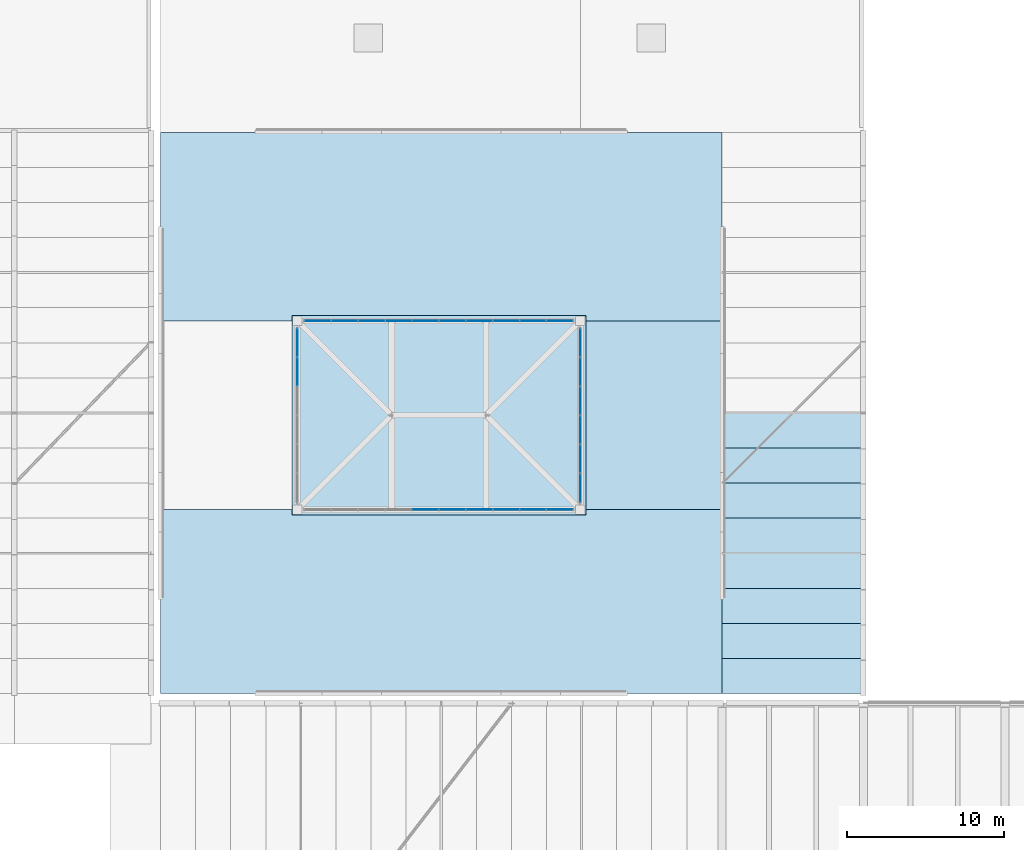
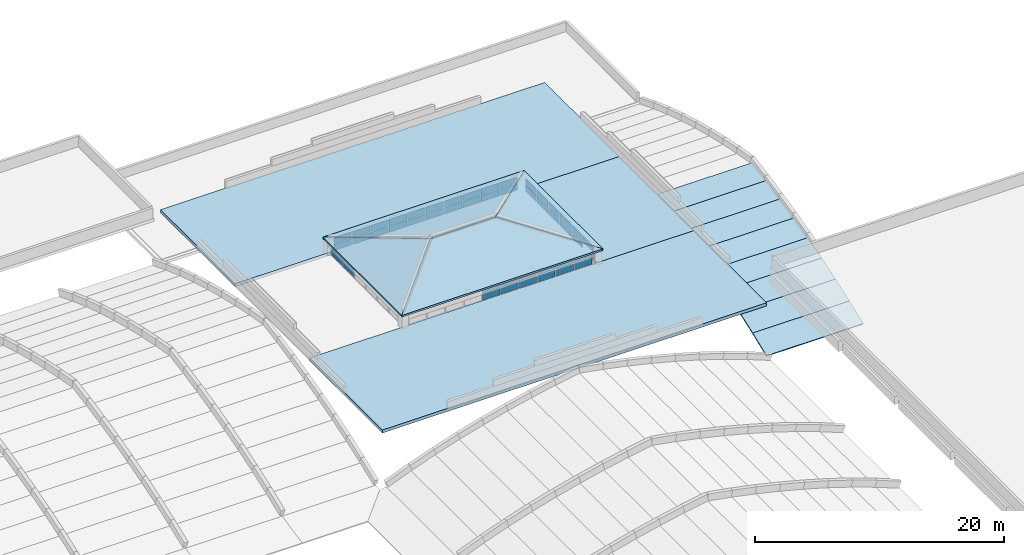
# One storey, part 46 of 56: 48 plates, 15 slabs, 7 elements without a shape of their own.
"""IFC4 building model written with IfcOpenShell, lengths in metres."""

from ifc_helpers import new_model, si_unit, direction, frame, origin, origin_2d, place, context, subcontext, project, spatial, polyline, rectangle, outline, extrude, material, layer, layer_set, type_object, element, aggregate, save


model = new_model("IFC4")

# Units and contexts
model_context = context("Model", 3, precision=1e-05, world=origin(), true_north=direction((0.0, 1.0)))
body_context = subcontext(model_context, "Body", "Model", "MODEL_VIEW")
ifc_project = project(units=[si_unit("LENGTHUNIT", "METRE"), si_unit("AREAUNIT", "SQUARE_METRE"), si_unit("VOLUMEUNIT", "CUBIC_METRE"), si_unit("PLANEANGLEUNIT", "RADIAN"), si_unit("MASSUNIT", "GRAM", prefix="KILO")], contexts=[model_context])

# Site, building, storey
site_placement = place(None, origin())
site = spatial("IfcSite", under=ifc_project, at=site_placement, CompositionType="ELEMENT")
building_placement = place(site_placement, origin())
building = spatial("IfcBuilding", under=site, at=building_placement, Name="Zacnel Wholesale Market", CompositionType="ELEMENT")
storey_placement = place(building_placement, frame((0.0, 0.0, 20.300048828125)))
storey = spatial("IfcBuildingStorey", under=building, at=storey_placement, Name="RF", CompositionType="ELEMENT", Elevation=20.300048828125)

# Curtain wall, plates
ifc_material_1 = material(Name="Anodised aluminium", Category="aluminium")
ifc_layer_1 = layer(ifc_material_1, 0.14990234375)
ifc_layer_set_1 = layer_set([ifc_layer_1], Name="Anodised aluminium")
curtain_wall_type = type_object("IfcCurtainWallType", Name="CW-CLER-3600", PredefinedType="NOTDEFINED", material=ifc_layer_set_1)
curtain_wall_1_placement = place(storey_placement, origin())
curtain_wall_1 = element("IfcCurtainWall", 1, at=curtain_wall_1_placement, inside=storey, type_object=curtain_wall_type, Name="Curtain wall ENV-CW-XLAN-S", PredefinedType="NOTDEFINED")
ifc_material_2 = material(Name="Laminated hurricane-impact low-E insulated glass", Category="glass")
ifc_layer_2 = layer(ifc_material_2, 0.02392578125)
ifc_layer_set_2 = layer_set([ifc_layer_2], Name="Laminated hurricane-impact low-E insulated glass")
plate_type = type_object("IfcPlateType", Name="CWP-PNL-03", PredefinedType="CURTAIN_PANEL", material=ifc_layer_set_2)
plate_1_placement = place(storey_placement, frame((161.14501953125, 108.0, -3.8701171875), z_axis=(0.0, 0.0, 1.0), x_axis=(1.0, 0.0, 0.0)))
plate_1 = element("IfcPlate", 2, at=plate_1_placement, type_object=plate_type, Name="ENV-CW-XLAN-S panel 5-1", PredefinedType="CURTAIN_PANEL", context=body_context, shape_type="SweptSolid", body=[
    extrude(rectangle(XDim=1.639892578125, YDim=0.02392578125, at=origin_2d()), origin(), (0.0, 0.0, 1.0), 0.614990234375),
])
plate_2_placement = place(storey_placement, frame((161.14501953125, 108.0, -3.19482421875), z_axis=(0.0, 0.0, 1.0), x_axis=(1.0, 0.0, 0.0)))
plate_2 = element("IfcPlate", 3, at=plate_2_placement, type_object=plate_type, Name="ENV-CW-XLAN-S panel 5-2", PredefinedType="CURTAIN_PANEL", context=body_context, shape_type="SweptSolid", body=[
    extrude(rectangle(XDim=1.639892578125, YDim=0.02392578125, at=origin_2d()), origin(), (0.0, 0.0, 1.0), 0.614990234375),
])
plate_3_placement = place(storey_placement, frame((162.85498046875, 108.0, -3.8701171875), z_axis=(0.0, 0.0, 1.0), x_axis=(1.0, 0.0, 0.0)))
plate_3 = element("IfcPlate", 4, at=plate_3_placement, type_object=plate_type, Name="ENV-CW-XLAN-S panel 6-1", PredefinedType="CURTAIN_PANEL", context=body_context, shape_type="SweptSolid", body=[
    extrude(rectangle(XDim=1.639892578125, YDim=0.02392578125, at=origin_2d()), origin(), (0.0, 0.0, 1.0), 0.614990234375),
])
plate_4_placement = place(storey_placement, frame((162.85498046875, 108.0, -3.19482421875), z_axis=(0.0, 0.0, 1.0), x_axis=(1.0, 0.0, 0.0)))
plate_4 = element("IfcPlate", 5, at=plate_4_placement, type_object=plate_type, Name="ENV-CW-XLAN-S panel 6-2", PredefinedType="CURTAIN_PANEL", context=body_context, shape_type="SweptSolid", body=[
    extrude(rectangle(XDim=1.639892578125, YDim=0.02392578125, at=origin_2d()), origin(), (0.0, 0.0, 1.0), 0.614990234375),
])
plate_5_placement = place(storey_placement, frame((164.56494140625, 108.0, -3.8701171875), z_axis=(0.0, 0.0, 1.0), x_axis=(1.0, 0.0, 0.0)))
plate_5 = element("IfcPlate", 6, at=plate_5_placement, type_object=plate_type, Name="ENV-CW-XLAN-S panel 7-1", PredefinedType="CURTAIN_PANEL", context=body_context, shape_type="SweptSolid", body=[
    extrude(rectangle(XDim=1.639892578125, YDim=0.02392578125, at=origin_2d()), origin(), (0.0, 0.0, 1.0), 0.614990234375),
])
plate_6_placement = place(storey_placement, frame((164.56494140625, 108.0, -3.19482421875), z_axis=(0.0, 0.0, 1.0), x_axis=(1.0, 0.0, 0.0)))
plate_6 = element("IfcPlate", 7, at=plate_6_placement, type_object=plate_type, Name="ENV-CW-XLAN-S panel 7-2", PredefinedType="CURTAIN_PANEL", context=body_context, shape_type="SweptSolid", body=[
    extrude(rectangle(XDim=1.639892578125, YDim=0.02392578125, at=origin_2d()), origin(), (0.0, 0.0, 1.0), 0.614990234375),
])
plate_7_placement = place(storey_placement, frame((166.27490234375, 108.0, -3.8701171875), z_axis=(0.0, 0.0, 1.0), x_axis=(1.0, 0.0, 0.0)))
plate_7 = element("IfcPlate", 8, at=plate_7_placement, type_object=plate_type, Name="ENV-CW-XLAN-S panel 8-1", PredefinedType="CURTAIN_PANEL", context=body_context, shape_type="SweptSolid", body=[
    extrude(rectangle(XDim=1.639892578125, YDim=0.02392578125, at=origin_2d()), origin(), (0.0, 0.0, 1.0), 0.614990234375),
])
plate_8_placement = place(storey_placement, frame((166.27490234375, 108.0, -3.19482421875), z_axis=(0.0, 0.0, 1.0), x_axis=(1.0, 0.0, 0.0)))
plate_8 = element("IfcPlate", 9, at=plate_8_placement, type_object=plate_type, Name="ENV-CW-XLAN-S panel 8-2", PredefinedType="CURTAIN_PANEL", context=body_context, shape_type="SweptSolid", body=[
    extrude(rectangle(XDim=1.639892578125, YDim=0.02392578125, at=origin_2d()), origin(), (0.0, 0.0, 1.0), 0.614990234375),
])
plate_9_placement = place(storey_placement, frame((167.985107421875, 108.0, -3.8701171875), z_axis=(0.0, 0.0, 1.0), x_axis=(1.0, 0.0, 0.0)))
plate_9 = element("IfcPlate", 10, at=plate_9_placement, type_object=plate_type, Name="ENV-CW-XLAN-S panel 9-1", PredefinedType="CURTAIN_PANEL", context=body_context, shape_type="SweptSolid", body=[
    extrude(rectangle(XDim=1.639892578125, YDim=0.02392578125, at=origin_2d()), origin(), (0.0, 0.0, 1.0), 0.614990234375),
])
plate_10_placement = place(storey_placement, frame((167.985107421875, 108.0, -3.19482421875), z_axis=(0.0, 0.0, 1.0), x_axis=(1.0, 0.0, 0.0)))
plate_10 = element("IfcPlate", 11, at=plate_10_placement, type_object=plate_type, Name="ENV-CW-XLAN-S panel 9-2", PredefinedType="CURTAIN_PANEL", context=body_context, shape_type="SweptSolid", body=[
    extrude(rectangle(XDim=1.639892578125, YDim=0.02392578125, at=origin_2d()), origin(), (0.0, 0.0, 1.0), 0.614990234375),
])
plate_11_placement = place(storey_placement, frame((169.695068359375, 108.0, -3.8701171875), z_axis=(0.0, 0.0, 1.0), x_axis=(1.0, 0.0, 0.0)))
plate_11 = element("IfcPlate", 12, at=plate_11_placement, type_object=plate_type, Name="ENV-CW-XLAN-S panel 10-1", PredefinedType="CURTAIN_PANEL", context=body_context, shape_type="SweptSolid", body=[
    extrude(rectangle(XDim=1.639892578125, YDim=0.02392578125, at=origin_2d()), origin(), (0.0, 0.0, 1.0), 0.614990234375),
])
plate_12_placement = place(storey_placement, frame((169.695068359375, 108.0, -3.19482421875), z_axis=(0.0, 0.0, 1.0), x_axis=(1.0, 0.0, 0.0)))
plate_12 = element("IfcPlate", 13, at=plate_12_placement, type_object=plate_type, Name="ENV-CW-XLAN-S panel 10-2", PredefinedType="CURTAIN_PANEL", context=body_context, shape_type="SweptSolid", body=[
    extrude(rectangle(XDim=1.639892578125, YDim=0.02392578125, at=origin_2d()), origin(), (0.0, 0.0, 1.0), 0.614990234375),
])
aggregate(curtain_wall_1, [plate_1, plate_2, plate_3, plate_4, plate_5, plate_6, plate_7, plate_8, plate_9, plate_10, plate_11, plate_12])

curtain_wall_2_placement = place(storey_placement, origin())
curtain_wall_2 = element("IfcCurtainWall", 14, at=curtain_wall_2_placement, inside=storey, type_object=curtain_wall_type, Name="Curtain wall ENV-CW-XLAN-N", PredefinedType="NOTDEFINED")
plate_13_placement = place(storey_placement, frame((154.304931640625, 120.0, -3.8701171875), z_axis=(0.0, 0.0, 1.0), x_axis=(1.0, 0.0, 0.0)))
plate_13 = element("IfcPlate", 15, at=plate_13_placement, type_object=plate_type, Name="ENV-CW-XLAN-N panel 1-1", PredefinedType="CURTAIN_PANEL", context=body_context, shape_type="SweptSolid", body=[
    extrude(rectangle(XDim=1.639892578125, YDim=0.02392578125, at=origin_2d()), origin(), (0.0, 0.0, 1.0), 0.614990234375),
])
plate_14_placement = place(storey_placement, frame((154.304931640625, 120.0, -3.19482421875), z_axis=(0.0, 0.0, 1.0), x_axis=(1.0, 0.0, 0.0)))
plate_14 = element("IfcPlate", 16, at=plate_14_placement, type_object=plate_type, Name="ENV-CW-XLAN-N panel 1-2", PredefinedType="CURTAIN_PANEL", context=body_context, shape_type="SweptSolid", body=[
    extrude(rectangle(XDim=1.639892578125, YDim=0.02392578125, at=origin_2d()), origin(), (0.0, 0.0, 1.0), 0.614990234375),
])
plate_15_placement = place(storey_placement, frame((156.014892578125, 120.0, -3.8701171875), z_axis=(0.0, 0.0, 1.0), x_axis=(1.0, 0.0, 0.0)))
plate_15 = element("IfcPlate", 17, at=plate_15_placement, type_object=plate_type, Name="ENV-CW-XLAN-N panel 2-1", PredefinedType="CURTAIN_PANEL", context=body_context, shape_type="SweptSolid", body=[
    extrude(rectangle(XDim=1.639892578125, YDim=0.02392578125, at=origin_2d()), origin(), (0.0, 0.0, 1.0), 0.614990234375),
])
plate_16_placement = place(storey_placement, frame((156.014892578125, 120.0, -3.19482421875), z_axis=(0.0, 0.0, 1.0), x_axis=(1.0, 0.0, 0.0)))
plate_16 = element("IfcPlate", 18, at=plate_16_placement, type_object=plate_type, Name="ENV-CW-XLAN-N panel 2-2", PredefinedType="CURTAIN_PANEL", context=body_context, shape_type="SweptSolid", body=[
    extrude(rectangle(XDim=1.639892578125, YDim=0.02392578125, at=origin_2d()), origin(), (0.0, 0.0, 1.0), 0.614990234375),
])
plate_17_placement = place(storey_placement, frame((157.72509765625, 120.0, -3.8701171875), z_axis=(0.0, 0.0, 1.0), x_axis=(1.0, 0.0, 0.0)))
plate_17 = element("IfcPlate", 19, at=plate_17_placement, type_object=plate_type, Name="ENV-CW-XLAN-N panel 3-1", PredefinedType="CURTAIN_PANEL", context=body_context, shape_type="SweptSolid", body=[
    extrude(rectangle(XDim=1.639892578125, YDim=0.02392578125, at=origin_2d()), origin(), (0.0, 0.0, 1.0), 0.614990234375),
])
plate_18_placement = place(storey_placement, frame((157.72509765625, 120.0, -3.19482421875), z_axis=(0.0, 0.0, 1.0), x_axis=(1.0, 0.0, 0.0)))
plate_18 = element("IfcPlate", 20, at=plate_18_placement, type_object=plate_type, Name="ENV-CW-XLAN-N panel 3-2", PredefinedType="CURTAIN_PANEL", context=body_context, shape_type="SweptSolid", body=[
    extrude(rectangle(XDim=1.639892578125, YDim=0.02392578125, at=origin_2d()), origin(), (0.0, 0.0, 1.0), 0.614990234375),
])
plate_19_placement = place(storey_placement, frame((159.43505859375, 120.0, -3.8701171875), z_axis=(0.0, 0.0, 1.0), x_axis=(1.0, 0.0, 0.0)))
plate_19 = element("IfcPlate", 21, at=plate_19_placement, type_object=plate_type, Name="ENV-CW-XLAN-N panel 4-1", PredefinedType="CURTAIN_PANEL", context=body_context, shape_type="SweptSolid", body=[
    extrude(rectangle(XDim=1.639892578125, YDim=0.02392578125, at=origin_2d()), origin(), (0.0, 0.0, 1.0), 0.614990234375),
])
plate_20_placement = place(storey_placement, frame((159.43505859375, 120.0, -3.19482421875), z_axis=(0.0, 0.0, 1.0), x_axis=(1.0, 0.0, 0.0)))
plate_20 = element("IfcPlate", 22, at=plate_20_placement, type_object=plate_type, Name="ENV-CW-XLAN-N panel 4-2", PredefinedType="CURTAIN_PANEL", context=body_context, shape_type="SweptSolid", body=[
    extrude(rectangle(XDim=1.639892578125, YDim=0.02392578125, at=origin_2d()), origin(), (0.0, 0.0, 1.0), 0.614990234375),
])
plate_21_placement = place(storey_placement, frame((161.14501953125, 120.0, -3.8701171875), z_axis=(0.0, 0.0, 1.0), x_axis=(1.0, 0.0, 0.0)))
plate_21 = element("IfcPlate", 23, at=plate_21_placement, type_object=plate_type, Name="ENV-CW-XLAN-N panel 5-1", PredefinedType="CURTAIN_PANEL", context=body_context, shape_type="SweptSolid", body=[
    extrude(rectangle(XDim=1.639892578125, YDim=0.02392578125, at=origin_2d()), origin(), (0.0, 0.0, 1.0), 0.614990234375),
])
plate_22_placement = place(storey_placement, frame((161.14501953125, 120.0, -3.19482421875), z_axis=(0.0, 0.0, 1.0), x_axis=(1.0, 0.0, 0.0)))
plate_22 = element("IfcPlate", 24, at=plate_22_placement, type_object=plate_type, Name="ENV-CW-XLAN-N panel 5-2", PredefinedType="CURTAIN_PANEL", context=body_context, shape_type="SweptSolid", body=[
    extrude(rectangle(XDim=1.639892578125, YDim=0.02392578125, at=origin_2d()), origin(), (0.0, 0.0, 1.0), 0.614990234375),
])
plate_23_placement = place(storey_placement, frame((162.85498046875, 120.0, -3.8701171875), z_axis=(0.0, 0.0, 1.0), x_axis=(1.0, 0.0, 0.0)))
plate_23 = element("IfcPlate", 25, at=plate_23_placement, type_object=plate_type, Name="ENV-CW-XLAN-N panel 6-1", PredefinedType="CURTAIN_PANEL", context=body_context, shape_type="SweptSolid", body=[
    extrude(rectangle(XDim=1.639892578125, YDim=0.02392578125, at=origin_2d()), origin(), (0.0, 0.0, 1.0), 0.614990234375),
])
plate_24_placement = place(storey_placement, frame((162.85498046875, 120.0, -3.19482421875), z_axis=(0.0, 0.0, 1.0), x_axis=(1.0, 0.0, 0.0)))
plate_24 = element("IfcPlate", 26, at=plate_24_placement, type_object=plate_type, Name="ENV-CW-XLAN-N panel 6-2", PredefinedType="CURTAIN_PANEL", context=body_context, shape_type="SweptSolid", body=[
    extrude(rectangle(XDim=1.639892578125, YDim=0.02392578125, at=origin_2d()), origin(), (0.0, 0.0, 1.0), 0.614990234375),
])
plate_25_placement = place(storey_placement, frame((164.56494140625, 120.0, -3.8701171875), z_axis=(0.0, 0.0, 1.0), x_axis=(1.0, 0.0, 0.0)))
plate_25 = element("IfcPlate", 27, at=plate_25_placement, type_object=plate_type, Name="ENV-CW-XLAN-N panel 7-1", PredefinedType="CURTAIN_PANEL", context=body_context, shape_type="SweptSolid", body=[
    extrude(rectangle(XDim=1.639892578125, YDim=0.02392578125, at=origin_2d()), origin(), (0.0, 0.0, 1.0), 0.614990234375),
])
plate_26_placement = place(storey_placement, frame((164.56494140625, 120.0, -3.19482421875), z_axis=(0.0, 0.0, 1.0), x_axis=(1.0, 0.0, 0.0)))
plate_26 = element("IfcPlate", 28, at=plate_26_placement, type_object=plate_type, Name="ENV-CW-XLAN-N panel 7-2", PredefinedType="CURTAIN_PANEL", context=body_context, shape_type="SweptSolid", body=[
    extrude(rectangle(XDim=1.639892578125, YDim=0.02392578125, at=origin_2d()), origin(), (0.0, 0.0, 1.0), 0.614990234375),
])
plate_27_placement = place(storey_placement, frame((166.27490234375, 120.0, -3.8701171875), z_axis=(0.0, 0.0, 1.0), x_axis=(1.0, 0.0, 0.0)))
plate_27 = element("IfcPlate", 29, at=plate_27_placement, type_object=plate_type, Name="ENV-CW-XLAN-N panel 8-1", PredefinedType="CURTAIN_PANEL", context=body_context, shape_type="SweptSolid", body=[
    extrude(rectangle(XDim=1.639892578125, YDim=0.02392578125, at=origin_2d()), origin(), (0.0, 0.0, 1.0), 0.614990234375),
])
plate_28_placement = place(storey_placement, frame((166.27490234375, 120.0, -3.19482421875), z_axis=(0.0, 0.0, 1.0), x_axis=(1.0, 0.0, 0.0)))
plate_28 = element("IfcPlate", 30, at=plate_28_placement, type_object=plate_type, Name="ENV-CW-XLAN-N panel 8-2", PredefinedType="CURTAIN_PANEL", context=body_context, shape_type="SweptSolid", body=[
    extrude(rectangle(XDim=1.639892578125, YDim=0.02392578125, at=origin_2d()), origin(), (0.0, 0.0, 1.0), 0.614990234375),
])
plate_29_placement = place(storey_placement, frame((167.985107421875, 120.0, -3.8701171875), z_axis=(0.0, 0.0, 1.0), x_axis=(1.0, 0.0, 0.0)))
plate_29 = element("IfcPlate", 31, at=plate_29_placement, type_object=plate_type, Name="ENV-CW-XLAN-N panel 9-1", PredefinedType="CURTAIN_PANEL", context=body_context, shape_type="SweptSolid", body=[
    extrude(rectangle(XDim=1.639892578125, YDim=0.02392578125, at=origin_2d()), origin(), (0.0, 0.0, 1.0), 0.614990234375),
])
plate_30_placement = place(storey_placement, frame((167.985107421875, 120.0, -3.19482421875), z_axis=(0.0, 0.0, 1.0), x_axis=(1.0, 0.0, 0.0)))
plate_30 = element("IfcPlate", 32, at=plate_30_placement, type_object=plate_type, Name="ENV-CW-XLAN-N panel 9-2", PredefinedType="CURTAIN_PANEL", context=body_context, shape_type="SweptSolid", body=[
    extrude(rectangle(XDim=1.639892578125, YDim=0.02392578125, at=origin_2d()), origin(), (0.0, 0.0, 1.0), 0.614990234375),
])
plate_31_placement = place(storey_placement, frame((169.695068359375, 120.0, -3.8701171875), z_axis=(0.0, 0.0, 1.0), x_axis=(1.0, 0.0, 0.0)))
plate_31 = element("IfcPlate", 33, at=plate_31_placement, type_object=plate_type, Name="ENV-CW-XLAN-N panel 10-1", PredefinedType="CURTAIN_PANEL", context=body_context, shape_type="SweptSolid", body=[
    extrude(rectangle(XDim=1.639892578125, YDim=0.02392578125, at=origin_2d()), origin(), (0.0, 0.0, 1.0), 0.614990234375),
])
plate_32_placement = place(storey_placement, frame((169.695068359375, 120.0, -3.19482421875), z_axis=(0.0, 0.0, 1.0), x_axis=(1.0, 0.0, 0.0)))
plate_32 = element("IfcPlate", 34, at=plate_32_placement, type_object=plate_type, Name="ENV-CW-XLAN-N panel 10-2", PredefinedType="CURTAIN_PANEL", context=body_context, shape_type="SweptSolid", body=[
    extrude(rectangle(XDim=1.639892578125, YDim=0.02392578125, at=origin_2d()), origin(), (0.0, 0.0, 1.0), 0.614990234375),
])
aggregate(curtain_wall_2, [plate_13, plate_14, plate_15, plate_16, plate_17, plate_18, plate_19, plate_20, plate_21, plate_22, plate_23, plate_24, plate_25, plate_26, plate_27, plate_28, plate_29, plate_30, plate_31, plate_32])

curtain_wall_3_placement = place(storey_placement, origin())
curtain_wall_3 = element("IfcCurtainWall", 35, at=curtain_wall_3_placement, inside=storey, type_object=curtain_wall_type, Name="Curtain wall ENV-CW-XLAN-W", PredefinedType="NOTDEFINED")
plate_33_placement = place(storey_placement, frame((153.0, 116.77490234375, -3.8701171875), z_axis=(0.0, 0.0, 1.0), x_axis=(0.0, 1.0, 0.0)))
plate_33 = element("IfcPlate", 36, at=plate_33_placement, type_object=plate_type, Name="ENV-CW-XLAN-W panel 5-1", PredefinedType="CURTAIN_PANEL", context=body_context, shape_type="SweptSolid", body=[
    extrude(rectangle(XDim=1.780029296875, YDim=0.02392578125, at=origin_2d()), origin(), (0.0, 0.0, 1.0), 0.614990234375),
])
plate_34_placement = place(storey_placement, frame((153.0, 116.77490234375, -3.19482421875), z_axis=(0.0, 0.0, 1.0), x_axis=(0.0, 1.0, 0.0)))
plate_34 = element("IfcPlate", 37, at=plate_34_placement, type_object=plate_type, Name="ENV-CW-XLAN-W panel 5-2", PredefinedType="CURTAIN_PANEL", context=body_context, shape_type="SweptSolid", body=[
    extrude(rectangle(XDim=1.780029296875, YDim=0.02392578125, at=origin_2d()), origin(), (0.0, 0.0, 1.0), 0.614990234375),
])
plate_35_placement = place(storey_placement, frame((153.0, 118.625, -3.8701171875), z_axis=(0.0, 0.0, 1.0), x_axis=(0.0, 1.0, 0.0)))
plate_35 = element("IfcPlate", 38, at=plate_35_placement, type_object=plate_type, Name="ENV-CW-XLAN-W panel 6-1", PredefinedType="CURTAIN_PANEL", context=body_context, shape_type="SweptSolid", body=[
    extrude(rectangle(XDim=1.780029296875, YDim=0.02392578125, at=origin_2d()), origin(), (0.0, 0.0, 1.0), 0.614990234375),
])
plate_36_placement = place(storey_placement, frame((153.0, 118.625, -3.19482421875), z_axis=(0.0, 0.0, 1.0), x_axis=(0.0, 1.0, 0.0)))
plate_36 = element("IfcPlate", 39, at=plate_36_placement, type_object=plate_type, Name="ENV-CW-XLAN-W panel 6-2", PredefinedType="CURTAIN_PANEL", context=body_context, shape_type="SweptSolid", body=[
    extrude(rectangle(XDim=1.780029296875, YDim=0.02392578125, at=origin_2d()), origin(), (0.0, 0.0, 1.0), 0.614990234375),
])
aggregate(curtain_wall_3, [plate_33, plate_34, plate_35, plate_36])

curtain_wall_4_placement = place(storey_placement, origin())
curtain_wall_4 = element("IfcCurtainWall", 40, at=curtain_wall_4_placement, inside=storey, type_object=curtain_wall_type, Name="Curtain wall ENV-CW-XLAN-E", PredefinedType="NOTDEFINED")
plate_37_placement = place(storey_placement, frame((171.0, 109.375, -3.8701171875), z_axis=(0.0, 0.0, 1.0), x_axis=(0.0, 1.0, 0.0)))
plate_37 = element("IfcPlate", 41, at=plate_37_placement, type_object=plate_type, Name="ENV-CW-XLAN-E panel 1-1", PredefinedType="CURTAIN_PANEL", context=body_context, shape_type="SweptSolid", body=[
    extrude(rectangle(XDim=1.780029296875, YDim=0.02392578125, at=origin_2d()), origin(), (0.0, 0.0, 1.0), 0.614990234375),
])
plate_38_placement = place(storey_placement, frame((171.0, 109.375, -3.19482421875), z_axis=(0.0, 0.0, 1.0), x_axis=(0.0, 1.0, 0.0)))
plate_38 = element("IfcPlate", 42, at=plate_38_placement, type_object=plate_type, Name="ENV-CW-XLAN-E panel 1-2", PredefinedType="CURTAIN_PANEL", context=body_context, shape_type="SweptSolid", body=[
    extrude(rectangle(XDim=1.780029296875, YDim=0.02392578125, at=origin_2d()), origin(), (0.0, 0.0, 1.0), 0.614990234375),
])
plate_39_placement = place(storey_placement, frame((171.0, 111.22509765625, -3.8701171875), z_axis=(0.0, 0.0, 1.0), x_axis=(0.0, 1.0, 0.0)))
plate_39 = element("IfcPlate", 43, at=plate_39_placement, type_object=plate_type, Name="ENV-CW-XLAN-E panel 2-1", PredefinedType="CURTAIN_PANEL", context=body_context, shape_type="SweptSolid", body=[
    extrude(rectangle(XDim=1.780029296875, YDim=0.02392578125, at=origin_2d()), origin(), (0.0, 0.0, 1.0), 0.614990234375),
])
plate_40_placement = place(storey_placement, frame((171.0, 111.22509765625, -3.19482421875), z_axis=(0.0, 0.0, 1.0), x_axis=(0.0, 1.0, 0.0)))
plate_40 = element("IfcPlate", 44, at=plate_40_placement, type_object=plate_type, Name="ENV-CW-XLAN-E panel 2-2", PredefinedType="CURTAIN_PANEL", context=body_context, shape_type="SweptSolid", body=[
    extrude(rectangle(XDim=1.780029296875, YDim=0.02392578125, at=origin_2d()), origin(), (0.0, 0.0, 1.0), 0.614990234375),
])
plate_41_placement = place(storey_placement, frame((171.0, 113.074951171875, -3.8701171875), z_axis=(0.0, 0.0, 1.0), x_axis=(0.0, 1.0, 0.0)))
plate_41 = element("IfcPlate", 45, at=plate_41_placement, type_object=plate_type, Name="ENV-CW-XLAN-E panel 3-1", PredefinedType="CURTAIN_PANEL", context=body_context, shape_type="SweptSolid", body=[
    extrude(rectangle(XDim=1.780029296875, YDim=0.02392578125, at=origin_2d()), origin(), (0.0, 0.0, 1.0), 0.614990234375),
])
plate_42_placement = place(storey_placement, frame((171.0, 113.074951171875, -3.19482421875), z_axis=(0.0, 0.0, 1.0), x_axis=(0.0, 1.0, 0.0)))
plate_42 = element("IfcPlate", 46, at=plate_42_placement, type_object=plate_type, Name="ENV-CW-XLAN-E panel 3-2", PredefinedType="CURTAIN_PANEL", context=body_context, shape_type="SweptSolid", body=[
    extrude(rectangle(XDim=1.780029296875, YDim=0.02392578125, at=origin_2d()), origin(), (0.0, 0.0, 1.0), 0.614990234375),
])
plate_43_placement = place(storey_placement, frame((171.0, 114.925048828125, -3.8701171875), z_axis=(0.0, 0.0, 1.0), x_axis=(0.0, 1.0, 0.0)))
plate_43 = element("IfcPlate", 47, at=plate_43_placement, type_object=plate_type, Name="ENV-CW-XLAN-E panel 4-1", PredefinedType="CURTAIN_PANEL", context=body_context, shape_type="SweptSolid", body=[
    extrude(rectangle(XDim=1.780029296875, YDim=0.02392578125, at=origin_2d()), origin(), (0.0, 0.0, 1.0), 0.614990234375),
])
plate_44_placement = place(storey_placement, frame((171.0, 114.925048828125, -3.19482421875), z_axis=(0.0, 0.0, 1.0), x_axis=(0.0, 1.0, 0.0)))
plate_44 = element("IfcPlate", 48, at=plate_44_placement, type_object=plate_type, Name="ENV-CW-XLAN-E panel 4-2", PredefinedType="CURTAIN_PANEL", context=body_context, shape_type="SweptSolid", body=[
    extrude(rectangle(XDim=1.780029296875, YDim=0.02392578125, at=origin_2d()), origin(), (0.0, 0.0, 1.0), 0.614990234375),
])
plate_45_placement = place(storey_placement, frame((171.0, 116.77490234375, -3.8701171875), z_axis=(0.0, 0.0, 1.0), x_axis=(0.0, 1.0, 0.0)))
plate_45 = element("IfcPlate", 49, at=plate_45_placement, type_object=plate_type, Name="ENV-CW-XLAN-E panel 5-1", PredefinedType="CURTAIN_PANEL", context=body_context, shape_type="SweptSolid", body=[
    extrude(rectangle(XDim=1.780029296875, YDim=0.02392578125, at=origin_2d()), origin(), (0.0, 0.0, 1.0), 0.614990234375),
])
plate_46_placement = place(storey_placement, frame((171.0, 116.77490234375, -3.19482421875), z_axis=(0.0, 0.0, 1.0), x_axis=(0.0, 1.0, 0.0)))
plate_46 = element("IfcPlate", 50, at=plate_46_placement, type_object=plate_type, Name="ENV-CW-XLAN-E panel 5-2", PredefinedType="CURTAIN_PANEL", context=body_context, shape_type="SweptSolid", body=[
    extrude(rectangle(XDim=1.780029296875, YDim=0.02392578125, at=origin_2d()), origin(), (0.0, 0.0, 1.0), 0.614990234375),
])
plate_47_placement = place(storey_placement, frame((171.0, 118.625, -3.8701171875), z_axis=(0.0, 0.0, 1.0), x_axis=(0.0, 1.0, 0.0)))
plate_47 = element("IfcPlate", 51, at=plate_47_placement, type_object=plate_type, Name="ENV-CW-XLAN-E panel 6-1", PredefinedType="CURTAIN_PANEL", context=body_context, shape_type="SweptSolid", body=[
    extrude(rectangle(XDim=1.780029296875, YDim=0.02392578125, at=origin_2d()), origin(), (0.0, 0.0, 1.0), 0.614990234375),
])
plate_48_placement = place(storey_placement, frame((171.0, 118.625, -3.19482421875), z_axis=(0.0, 0.0, 1.0), x_axis=(0.0, 1.0, 0.0)))
plate_48 = element("IfcPlate", 52, at=plate_48_placement, type_object=plate_type, Name="ENV-CW-XLAN-E panel 6-2", PredefinedType="CURTAIN_PANEL", context=body_context, shape_type="SweptSolid", body=[
    extrude(rectangle(XDim=1.780029296875, YDim=0.02392578125, at=origin_2d()), origin(), (0.0, 0.0, 1.0), 0.614990234375),
])
aggregate(curtain_wall_4, [plate_37, plate_38, plate_39, plate_40, plate_41, plate_42, plate_43, plate_44, plate_45, plate_46, plate_47, plate_48])

# Roof, slabs
ifc_material_3 = material(Name="Precast concrete C45/55", Category="concrete")
ifc_layer_3 = layer(ifc_material_3, 0.219970703125)
ifc_layer_set_3 = layer_set([ifc_layer_3], Name="Precast concrete C45/55")
roof_type_1 = type_object("IfcRoofType", Name="ROOF-PAVILION-COF", PredefinedType="PAVILION_ROOF", material=ifc_layer_set_3)
roof_1_placement = place(storey_placement, origin())
roof_1 = element("IfcRoof", 53, at=roof_1_placement, inside=storey, type_object=roof_type_1, Name="Hipped precast roof assembly STR-ROOF-V1-XLANTERN", PredefinedType="PAVILION_ROOF")
ifc_material_4 = material(Name="Precast concrete C45/55", Category="concrete")
ifc_layer_4 = layer(ifc_material_4, 0.260009765625)
ifc_layer_set_4 = layer_set([ifc_layer_4], Name="Precast concrete C45/55")
slab_type_1 = type_object("IfcSlabType", Name="SLB-ROOF-COF-260", PredefinedType="ROOF", material=ifc_layer_set_4)
slab_1_placement = place(storey_placement, frame((152.64990234375, 107.64990234375, -2.449951171875), z_axis=(0.0, -0.229859715861, 0.973223772328), x_axis=(1.0, 0.0, 0.0)))
slab_1 = element("IfcSlab", 54, at=slab_1_placement, type_object=slab_type_1, Name="Hipped roof facet STR-ROOF-V1-XLANTERN-S", PredefinedType="ROOF", context=body_context, shape_type="SweptSolid", body=[
    extrude(outline(polyline([(0.0, 0.0), (18.7001953125, 0.0), (12.405029296875, 6.468364413835549), (6.295166015625, 6.468364413835549), (0.0, 0.0)])), origin(), (0.0, 0.0, -1.0), 0.219970703125),
])
slab_2_placement = place(storey_placement, frame((171.35009765625, 120.35009765625, -2.449951171875), z_axis=(0.0, 0.229859715861, 0.973223772328), x_axis=(-1.0, 0.0, 0.0)))
slab_2 = element("IfcSlab", 55, at=slab_2_placement, type_object=slab_type_1, Name="Hipped roof facet STR-ROOF-V1-XLANTERN-N", PredefinedType="ROOF", context=body_context, shape_type="SweptSolid", body=[
    extrude(outline(polyline([(0.0, 0.0), (18.7001953125, 0.0), (12.405029296875, 6.468364413835549), (6.295166015625, 6.468364413835549), (0.0, 0.0)])), origin(), (0.0, 0.0, -1.0), 0.219970703125),
])
slab_3_placement = place(storey_placement, frame((152.64990234375, 120.35009765625, -2.449951171875), z_axis=(-0.229859715861, 0.0, 0.973223772328), x_axis=(0.0, -1.0, 0.0)))
slab_3 = element("IfcSlab", 56, at=slab_3_placement, type_object=slab_type_1, Name="Hipped roof facet STR-ROOF-V1-XLANTERN-W", PredefinedType="ROOF", context=body_context, shape_type="SweptSolid", body=[
    extrude(outline(polyline([(0.0, 0.0), (12.7001953125, 0.0), (6.35009765625, 6.468364413835549), (0.0, 0.0)])), origin(), (0.0, 0.0, -1.0), 0.219970703125),
])
slab_4_placement = place(storey_placement, frame((171.35009765625, 107.64990234375, -2.449951171875), z_axis=(0.229859715861, 0.0, 0.973223772328), x_axis=(0.0, 1.0, 0.0)))
slab_4 = element("IfcSlab", 57, at=slab_4_placement, type_object=slab_type_1, Name="Hipped roof facet STR-ROOF-V1-XLANTERN-E", PredefinedType="ROOF", context=body_context, shape_type="SweptSolid", body=[
    extrude(outline(polyline([(0.0, 0.0), (12.7001953125, 0.0), (6.35009765625, 6.468364413835549), (0.0, 0.0)])), origin(), (0.0, 0.0, -1.0), 0.219970703125),
])
aggregate(roof_1, [slab_1, slab_2, slab_3, slab_4])

ifc_material_5 = material(Name="Concrete C40/50", Category="concrete")
ifc_layer_5 = layer(ifc_material_5, 0.110107421875)
ifc_layer_set_5 = layer_set([ifc_layer_5], Name="Concrete C40/50")
roof_type_2 = type_object("IfcRoofType", Name="ROOF-BARREL-36M", PredefinedType="BARREL_ROOF", material=ifc_layer_set_5)
roof_2_placement = place(storey_placement, origin())
roof_2 = element("IfcRoof", 58, at=roof_2_placement, inside=storey, type_object=roof_type_2, Name="Parabolic barrel-shell roof V1N-E-05", PredefinedType="BARREL_ROOF")
ifc_material_6 = material(Name="Concrete C40/50", Category="concrete")
ifc_layer_6 = layer(ifc_material_6, 0.110107421875)
ifc_layer_set_6 = layer_set([ifc_layer_6], Name="Concrete C40/50")
slab_type_2 = type_object("IfcSlabType", Name="SLB-ROOF-SHELL-110", PredefinedType="ROOF", material=ifc_layer_set_6)
slab_5_placement = place(storey_placement, frame((180.0, 96.300048828125, -9.10009765625), z_axis=(0.0, -0.366946359501, 0.930242102492), x_axis=(1.0, 0.0, 0.0)))
slab_5 = element("IfcSlab", 59, at=slab_5_placement, type_object=slab_type_2, Name="Barrel-shell facet V1N-E-05-F01", PredefinedType="ROOF", context=body_context, shape_type="SweptSolid", body=[
    extrude(outline(polyline([(0.0, 0.0), (9.0, 0.0), (9.0, 2.3985166505558118), (0.0, 2.3985166505558118), (0.0, 0.0)])), origin(), (0.0, 0.0, -1.0), 0.110107421875),
])
slab_6_placement = place(storey_placement, frame((180.0, 98.53125, -8.219970703125), z_axis=(0.0, -0.337438907944, 0.941347429701), x_axis=(1.0, 0.0, 0.0)))
slab_6 = element("IfcSlab", 60, at=slab_6_placement, type_object=slab_type_2, Name="Barrel-shell facet V1N-E-05-F02", PredefinedType="ROOF", context=body_context, shape_type="SweptSolid", body=[
    extrude(outline(polyline([(0.0, 0.0), (9.0, 0.0), (9.0, 2.370220708609927), (0.0, 2.370220708609927), (0.0, 0.0)])), origin(), (0.0, 0.0, -1.0), 0.110107421875),
])
slab_7_placement = place(storey_placement, frame((180.0, 100.762451171875, -7.420166015625), z_axis=(0.0, -0.307185321823, 0.951649713947), x_axis=(1.0, 0.0, 0.0)))
slab_7 = element("IfcSlab", 61, at=slab_7_placement, type_object=slab_type_2, Name="Barrel-shell facet V1N-E-05-F03", PredefinedType="ROOF", context=body_context, shape_type="SweptSolid", body=[
    extrude(outline(polyline([(0.0, 0.0), (9.0, 0.0), (9.0, 2.3445613855333813), (0.0, 2.3445613855333813), (0.0, 0.0)])), origin(), (0.0, 0.0, -1.0), 0.110107421875),
])
slab_8_placement = place(storey_placement, frame((180.0, 102.99365234375, -6.699951171875), z_axis=(0.0, -0.275651658171, 0.961257594689), x_axis=(1.0, 0.0, 0.0)))
slab_8 = element("IfcSlab", 62, at=slab_8_placement, type_object=slab_type_2, Name="Barrel-shell facet V1N-E-05-F04", PredefinedType="ROOF", context=body_context, shape_type="SweptSolid", body=[
    extrude(outline(polyline([(0.0, 0.0), (9.0, 0.0), (9.0, 2.3213812039856103), (0.0, 2.3213812039856103), (0.0, 0.0)])), origin(), (0.0, 0.0, -1.0), 0.110107421875),
])
slab_9_placement = place(storey_placement, frame((180.0, 105.22509765625, -6.06005859375), z_axis=(0.0, -0.251619964429, 0.967826117389), x_axis=(1.0, 0.0, 0.0)))
slab_9 = element("IfcSlab", 63, at=slab_9_placement, type_object=slab_type_2, Name="Barrel-shell facet V1N-E-05-F05", PredefinedType="ROOF", context=body_context, shape_type="SweptSolid", body=[
    extrude(outline(polyline([(0.0, 0.0), (9.0, 0.0), (9.0, 2.305374004468665), (0.0, 2.305374004468665), (0.0, 0.0)])), origin(), (0.0, 0.0, -1.0), 0.110107421875),
])
slab_10_placement = place(storey_placement, frame((180.0, 107.456298828125, -5.47998046875), z_axis=(0.0, -0.226983688872, 0.973898559906), x_axis=(1.0, 0.0, 0.0)))
slab_10 = element("IfcSlab", 64, at=slab_10_placement, type_object=slab_type_2, Name="Barrel-shell facet V1N-E-05-F06", PredefinedType="ROOF", context=body_context, shape_type="SweptSolid", body=[
    extrude(outline(polyline([(0.0, 0.0), (9.0, 0.0), (9.0, 2.2909995596371995), (0.0, 2.2909995596371995), (0.0, 0.0)])), origin(), (0.0, 0.0, -1.0), 0.110107421875),
])
slab_11_placement = place(storey_placement, frame((180.0, 109.6875, -4.9599609375), z_axis=(0.0, -0.201903890951, 0.979405339386), x_axis=(1.0, 0.0, 0.0)))
slab_11 = element("IfcSlab", 65, at=slab_11_placement, type_object=slab_type_2, Name="Barrel-shell facet V1N-E-05-F07", PredefinedType="ROOF", context=body_context, shape_type="SweptSolid", body=[
    extrude(outline(polyline([(0.0, 0.0), (9.0, 0.0), (9.0, 2.2781182439465804), (0.0, 2.2781182439465804), (0.0, 0.0)])), origin(), (0.0, 0.0, -1.0), 0.110107421875),
])
slab_12_placement = place(storey_placement, frame((180.0, 111.918701171875, -4.5), z_axis=(0.0, -0.176420589484, 0.984314876249), x_axis=(1.0, 0.0, 0.0)))
slab_12 = element("IfcSlab", 66, at=slab_12_placement, type_object=slab_type_2, Name="Barrel-shell facet V1N-E-05-F08", PredefinedType="ROOF", context=body_context, shape_type="SweptSolid", body=[
    extrude(outline(polyline([(0.0, 0.0), (9.0, 0.0), (9.0, 2.266755512602344), (0.0, 2.266755512602344), (0.0, 0.0)])), origin(), (0.0, 0.0, -1.0), 0.110107421875),
])
aggregate(roof_2, [slab_5, slab_6, slab_7, slab_8, slab_9, slab_10, slab_11, slab_12])

ifc_material_7 = material(Name="Precast concrete C45/55", Category="concrete")
ifc_layer_7 = layer(ifc_material_7, 0.280029296875)
ifc_layer_set_7 = layer_set([ifc_layer_7], Name="Precast concrete C45/55")
roof_type_3 = type_object("IfcRoofType", Name="ROOF-FLAT-PRECAST", PredefinedType="FLAT_ROOF", material=ifc_layer_set_7)
roof_3_placement = place(storey_placement, origin())
roof_3 = element("IfcRoof", 67, at=roof_3_placement, inside=storey, type_object=roof_type_3, Name="Crossing drum collar roof assembly", PredefinedType="FLAT_ROOF")
ifc_material_8 = material(Name="Precast concrete C45/55", Category="concrete")
ifc_layer_8 = layer(ifc_material_8, 0.300048828125)
ifc_layer_set_8 = layer_set([ifc_layer_8], Name="Precast concrete C45/55")
slab_type_3 = type_object("IfcSlabType", Name="SLB-ROOF-ZIG-300", PredefinedType="ROOF", material=ifc_layer_set_8)
slab_13_placement = place(storey_placement, frame((0.0, 0.0, -4.199951171875)))
slab_13 = element("IfcSlab", 68, at=slab_13_placement, type_object=slab_type_3, Name="Crossing drum collar slab S", PredefinedType="ROOF", context=body_context, shape_type="SweptSolid", body=[
    extrude(outline(polyline([(144.300048828125, 96.300048828125), (180.0, 96.300048828125), (180.0, 108.0), (144.300048828125, 108.0), (144.300048828125, 96.300048828125)])), origin(), (0.0, 0.0, 1.0), 0.2998046875),
])
slab_14_placement = place(storey_placement, frame((0.0, 0.0, -4.199951171875)))
slab_14 = element("IfcSlab", 69, at=slab_14_placement, type_object=slab_type_3, Name="Crossing drum collar slab N", PredefinedType="ROOF", context=body_context, shape_type="SweptSolid", body=[
    extrude(outline(polyline([(144.300048828125, 120.0), (180.0, 120.0), (180.0, 132.0), (144.300048828125, 132.0), (144.300048828125, 120.0)])), origin(), (0.0, 0.0, 1.0), 0.2998046875),
])
slab_15_placement = place(storey_placement, frame((0.0, 0.0, -4.199951171875)))
slab_15 = element("IfcSlab", 70, at=slab_15_placement, type_object=slab_type_3, Name="Crossing drum collar slab E", PredefinedType="ROOF", context=body_context, shape_type="SweptSolid", body=[
    extrude(outline(polyline([(171.0, 108.0), (180.0, 108.0), (180.0, 120.0), (171.0, 120.0), (171.0, 108.0)])), origin(), (0.0, 0.0, 1.0), 0.2998046875),
])
aggregate(roof_3, [slab_13, slab_14, slab_15])

save(model, "model.ifc")
